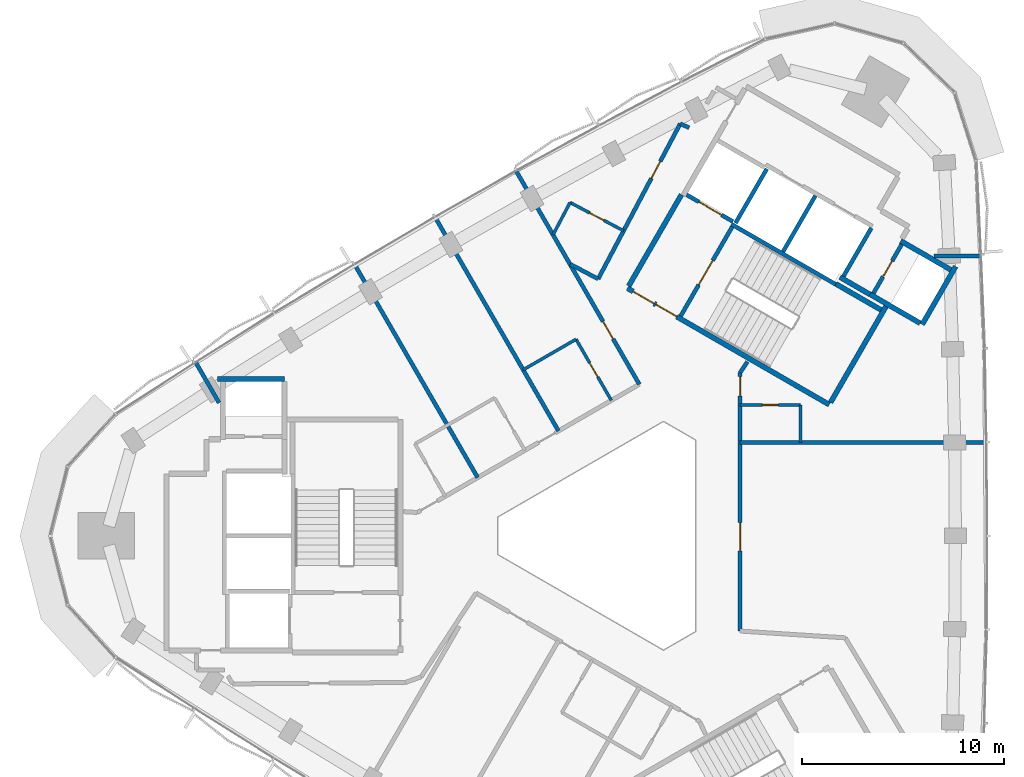
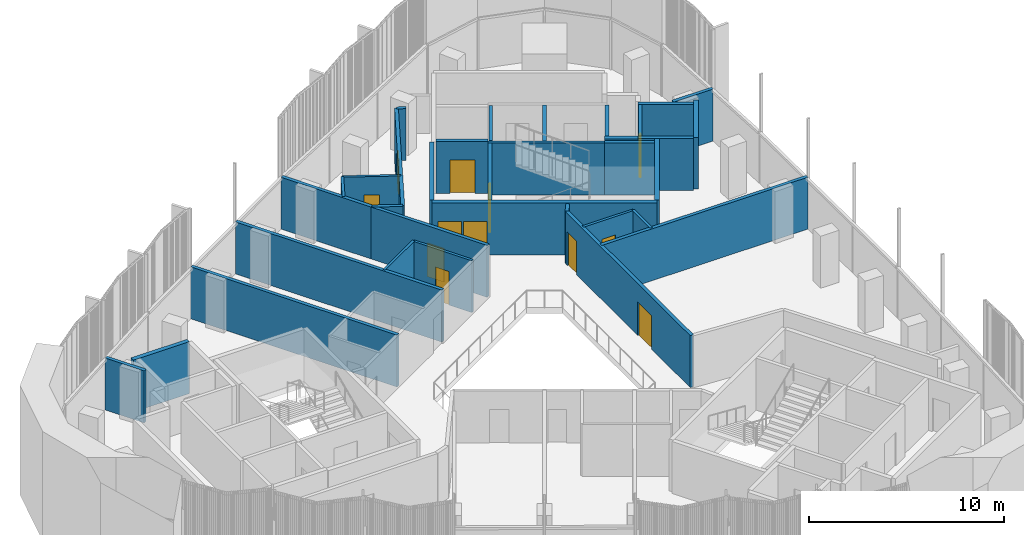
# One storey, part 10 of 14: 34 walls, 12 doors, 12 openings.
"""IFC4 building model written with IfcOpenShell, lengths in metres."""

from ifc_helpers import new_model, si_unit, direction, frame, frame_2d, origin, place, context, subcontext, project, spatial, rectangle, extrude, material, layer, layer_set, type_object, element, fill, save


model = new_model("IFC4")

# Units and contexts
model_context = context("Model", 3, precision=1e-05, world=origin(), true_north=direction((0.0, 1.0)))
body_context = subcontext(model_context, "Body", "Model", "MODEL_VIEW")
ifc_project = project(units=[si_unit("LENGTHUNIT", "METRE"), si_unit("AREAUNIT", "SQUARE_METRE"), si_unit("VOLUMEUNIT", "CUBIC_METRE"), si_unit("PLANEANGLEUNIT", "RADIAN"), si_unit("MASSUNIT", "GRAM", prefix="KILO")], contexts=[model_context])

# Site, building, storey
site_placement = place(None, origin())
site = spatial("IfcSite", under=ifc_project, at=site_placement, CompositionType="ELEMENT")
building_placement = place(site_placement, origin())
building = spatial("IfcBuilding", under=site, at=building_placement, Name="Tamra Quay Hotel Tower", CompositionType="ELEMENT")
storey_placement = place(building_placement, frame((0.0, 0.0, 221.39990234375)))
storey = spatial("IfcBuildingStorey", under=building, at=storey_placement, Name="L55", CompositionType="ELEMENT", Elevation=221.39990234375)

# Wall
ifc_material_1 = material(Name="Concrete M70", Category="concrete")
ifc_layer_1 = layer(ifc_material_1, 0.199951171875)
ifc_layer_set_1 = layer_set([ifc_layer_1], Name="Concrete M70 core wall 200")
wall_type_1 = type_object("IfcWallType", Name="Concrete M70 core wall 200", PredefinedType="SHEAR", material=ifc_layer_set_1)
wall_1_placement = place(storey_placement, frame((10.7431640625, 12.4599609375, 0.0), z_axis=(0.0, 0.0, 1.0), x_axis=(-0.866018848283, 0.500011354289, 0.0)))
element("IfcWall", 1, at=wall_1_placement, inside=storey, type_object=wall_type_1, Name="CW2", PredefinedType="SHEAR", context=body_context, shape_type="SweptSolid", body=[
    extrude(rectangle(XDim=5.973876953125, YDim=0.199951171875, at=frame_2d((2.98681640625, 0.0))), origin(), (0.0, 0.0, 1.0), 3.25),
])

# Wall, opening, door
wall_2_placement = place(storey_placement, frame((3.056640625, 10.89453125, 0.0), z_axis=(0.0, 0.0, 1.0), x_axis=(0.500027839223, 0.866009330205, 0.0)))
wall_2 = element("IfcWall", 2, at=wall_2_placement, inside=storey, type_object=wall_type_1, Name="CW2", PredefinedType="SHEAR", context=body_context, shape_type="SweptSolid", body=[
    extrude(rectangle(XDim=5.097900390625, YDim=0.199951171875, at=frame_2d((2.548828125, 0.0))), origin(), (0.0, 0.0, 1.0), 3.25),
])
opening_1_placement = place(wall_2_placement, frame((1.77392578125, 0.0, 0.0)))
opening_1 = element("IfcOpeningElement", 3, at=opening_1_placement, cuts=wall_2, Name="Opening FD2", PredefinedType="OPENING", context=body_context, shape_type="SweptSolid", body=[
    extrude(rectangle(XDim=1.39990234375, YDim=2.10009765625, at=frame_2d((0.699951171875, 1.050048828125))), frame((0.0, 0.10986328125, 0.0), z_axis=(0.0, -1.0, 0.0), x_axis=(1.0, 0.0, 0.0)), (0.0, 0.0, 1.0), 0.219970703125),
])
ifc_material_2 = material(Name="Core door FD2 1400x2100 LH")
door_type_1 = type_object("IfcDoorType", Name="Core door FD2 1400x2100 LH", OperationType="NOTDEFINED", PredefinedType="DOOR", material=ifc_material_2)
door_1_placement = place(opening_1_placement, origin())
door_1 = element("IfcDoor", 4, at=door_1_placement, inside=storey, type_object=door_type_1, Name="FD2", OperationType="SINGLE_SWING_LEFT", OverallHeight=2.10009765625, OverallWidth=1.39990234375, PredefinedType="DOOR", context=body_context, shape_type="SweptSolid", body=[
    extrude(rectangle(XDim=1.39990234375, YDim=2.10009765625, at=frame_2d((0.699951171875, 1.050048828125))), frame((0.0, 0.02490234375, 0.0), z_axis=(0.0, -1.0, 0.0), x_axis=(1.0, 0.0, 0.0)), (0.0, 0.0, 1.0), 0.050048828125),
])
fill(opening_1, door_1)

# Wall
wall_3_placement = place(storey_placement, frame((8.131591796875, 14.08447265625, 0.0), z_axis=(0.0, 0.0, 1.0), x_axis=(0.500030834389, 0.86600760081, 0.0)))
element("IfcWall", 5, at=wall_3_placement, inside=storey, type_object=wall_type_1, Name="CW2", PredefinedType="SHEAR", context=body_context, shape_type="SweptSolid", body=[
    extrude(rectangle(XDim=3.197998046875, YDim=0.199951171875, at=frame_2d((1.59912109375, 0.0))), origin(), (0.0, 0.0, 1.0), 3.25),
])

# Wall, opening, door
wall_4_placement = place(storey_placement, frame((14.0078125, 14.442138671875, 0.0), z_axis=(0.0, 0.0, 1.0), x_axis=(-0.499986818241, -0.866033014143, 0.0)))
wall_4 = element("IfcWall", 6, at=wall_4_placement, inside=storey, type_object=wall_type_1, Name="CW2", PredefinedType="SHEAR", context=body_context, shape_type="SweptSolid", body=[
    extrude(rectangle(XDim=2.7978515625, YDim=0.199951171875, at=frame_2d((1.39892578125, 0.0))), origin(), (0.0, 0.0, 1.0), 3.25),
])
opening_2_placement = place(wall_4_placement, frame((0.948974609375, 0.0, 0.0)))
opening_2 = element("IfcOpeningElement", 7, at=opening_2_placement, cuts=wall_4, Name="Opening D1", PredefinedType="OPENING", context=body_context, shape_type="SweptSolid", body=[
    extrude(rectangle(XDim=0.89990234375, YDim=2.10009765625, at=frame_2d((0.449951171875, 1.050048828125))), frame((0.0, 0.10986328125, 0.0), z_axis=(0.0, -1.0, 0.0), x_axis=(1.0, 0.0, 0.0)), (0.0, 0.0, 1.0), 0.219970703125),
])
ifc_material_3 = material(Name="Core door D1 900x2100 RH")
door_type_2 = type_object("IfcDoorType", Name="Core door D1 900x2100 RH", OperationType="NOTDEFINED", PredefinedType="DOOR", material=ifc_material_3)
door_2_placement = place(opening_2_placement, origin())
door_2 = element("IfcDoor", 8, at=door_2_placement, inside=storey, type_object=door_type_2, Name="D1", OperationType="SINGLE_SWING_RIGHT", OverallHeight=2.10009765625, OverallWidth=0.89990234375, PredefinedType="DOOR", context=body_context, shape_type="SweptSolid", body=[
    extrude(rectangle(XDim=0.89990234375, YDim=2.10009765625, at=frame_2d((0.449951171875, 1.050048828125))), frame((0.0, 0.02490234375, 0.0), z_axis=(0.0, -1.0, 0.0), x_axis=(1.0, 0.0, 0.0)), (0.0, 0.0, 1.0), 0.050048828125),
])
fill(opening_2, door_2)

# Walls
wall_5_placement = place(storey_placement, frame((12.50244140625, 15.2548828125, 0.0), z_axis=(0.0, 0.0, 1.0), x_axis=(-0.499965018551, -0.866045599391, 0.0)))
element("IfcWall", 9, at=wall_5_placement, inside=storey, type_object=wall_type_1, Name="CW2", PredefinedType="SHEAR", context=body_context, shape_type="SweptSolid", body=[
    extrude(rectangle(XDim=2.759033203125, YDim=0.199951171875, at=frame_2d((1.37939453125, 0.0))), origin(), (0.0, 0.0, 1.0), 3.25),
])
wall_6_placement = place(storey_placement, frame((7.324462890625, 18.1865234375, 0.0), z_axis=(0.0, 0.0, 1.0), x_axis=(-0.499967891604, -0.866043940782, 0.0)))
element("IfcWall", 10, at=wall_6_placement, inside=storey, type_object=wall_type_1, Name="CW2", PredefinedType="SHEAR", context=body_context, shape_type="SweptSolid", body=[
    extrude(rectangle(XDim=3.099853515625, YDim=0.199951171875, at=frame_2d((1.5498046875, 0.0))), origin(), (0.0, 0.0, 1.0), 3.25),
])

# Wall, opening, door
wall_7_placement = place(storey_placement, frame((5.646240234375, 15.575927734375, 0.0), z_axis=(0.0, 0.0, 1.0), x_axis=(-0.866018407898, 0.500012117035, 0.0)))
wall_7 = element("IfcWall", 11, at=wall_7_placement, inside=storey, type_object=wall_type_1, Name="CW2", PredefinedType="SHEAR", context=body_context, shape_type="SweptSolid", body=[
    extrude(rectangle(XDim=2.65087890625, YDim=0.199951171875, at=frame_2d((1.325439453125, 0.0))), origin(), (0.0, 0.0, 1.0), 3.25),
])
opening_3_placement = place(wall_7_placement, frame((0.65185546875, 0.0, 0.0)))
opening_3 = element("IfcOpeningElement", 12, at=opening_3_placement, cuts=wall_7, Name="Opening LD", PredefinedType="OPENING", context=body_context, shape_type="SweptSolid", body=[
    extrude(rectangle(XDim=1.300048828125, YDim=2.10009765625, at=frame_2d((0.64990234375, 1.050048828125))), frame((0.0, 0.10986328125, 0.0), z_axis=(0.0, -1.0, 0.0), x_axis=(1.0, 0.0, 0.0)), (0.0, 0.0, 1.0), 0.219970703125),
])
ifc_material_4 = material(Name="Landing door LD 1300 sliding to left")
door_type_3 = type_object("IfcDoorType", Name="Landing door LD 1300 sliding to left", OperationType="NOTDEFINED", PredefinedType="DOOR", material=ifc_material_4)
door_3_placement = place(opening_3_placement, origin())
door_3 = element("IfcDoor", 13, at=door_3_placement, inside=storey, type_object=door_type_3, Name="LD", OperationType="SLIDING_TO_LEFT", OverallHeight=2.10009765625, OverallWidth=1.300048828125, PredefinedType="DOOR", context=body_context, shape_type="SweptSolid", body=[
    extrude(rectangle(XDim=1.300048828125, YDim=2.10009765625, at=frame_2d((0.64990234375, 1.050048828125))), frame((0.0, 0.02490234375, 0.0), z_axis=(0.0, -1.0, 0.0), x_axis=(1.0, 0.0, 0.0)), (0.0, 0.0, 1.0), 0.050048828125),
])
fill(opening_3, door_3)

# Wall
ifc_layer_2 = layer(ifc_material_1, 0.25)
ifc_layer_set_2 = layer_set([ifc_layer_2], Name="Concrete M70 core wall 250")
wall_type_2 = type_object("IfcWallType", Name="Concrete M70 core wall 250", PredefinedType="SHEAR", material=ifc_layer_set_2)
wall_8_placement = place(storey_placement, frame((-19.900390625, 7.77490234375, 0.0), z_axis=(0.0, 0.0, 1.0), x_axis=(1.0, 0.0, 0.0)))
element("IfcWall", 14, at=wall_8_placement, inside=storey, type_object=wall_type_2, Name="CW1", PredefinedType="SHEAR", context=body_context, shape_type="SweptSolid", body=[
    extrude(rectangle(XDim=3.31298828125, YDim=0.25, at=frame_2d((1.656494140625, 0.0))), origin(), (0.0, 0.0, 1.0), 3.25),
])

# Wall, openings, doors
wall_9_placement = place(storey_placement, frame((10.419921875, 6.497802734375, 0.0), z_axis=(0.0, 0.0, 1.0), x_axis=(-0.866021906294, 0.500006057782, 0.0)))
wall_9 = element("IfcWall", 15, at=wall_9_placement, inside=storey, type_object=wall_type_2, Name="CW1", PredefinedType="SHEAR", context=body_context, shape_type="SweptSolid", body=[
    extrude(rectangle(XDim=11.550048828125, YDim=0.25, at=frame_2d((5.77490234375, 0.0))), origin(), (0.0, 0.0, 1.0), 3.25),
])
opening_4_placement = place(wall_9_placement, frame((10.02490234375, 0.0, 0.0)))
opening_4 = element("IfcOpeningElement", 16, at=opening_4_placement, cuts=wall_9, Name="Opening FD1", PredefinedType="OPENING", context=body_context, shape_type="SweptSolid", body=[
    extrude(rectangle(XDim=1.199951171875, YDim=2.10009765625, at=frame_2d((0.60009765625, 1.050048828125))), frame((0.0, 0.135009765625, 0.0), z_axis=(0.0, -1.0, 0.0), x_axis=(1.0, 0.0, 0.0)), (0.0, 0.0, 1.0), 0.27001953125),
])
opening_5_placement = place(wall_9_placement, frame((8.724853515625, 0.0, 0.0)))
opening_5 = element("IfcOpeningElement", 17, at=opening_5_placement, cuts=wall_9, Name="Opening FD1", PredefinedType="OPENING", context=body_context, shape_type="SweptSolid", body=[
    extrude(rectangle(XDim=1.199951171875, YDim=2.10009765625, at=frame_2d((0.60009765625, 1.050048828125))), frame((0.0, 0.135009765625, 0.0), z_axis=(0.0, -1.0, 0.0), x_axis=(1.0, 0.0, 0.0)), (0.0, 0.0, 1.0), 0.27001953125),
])
ifc_material_5 = material(Name="Core door FD1 1200x2100 LH")
door_type_4 = type_object("IfcDoorType", Name="Core door FD1 1200x2100 LH", OperationType="NOTDEFINED", PredefinedType="DOOR", material=ifc_material_5)
door_4_placement = place(opening_4_placement, origin())
door_4 = element("IfcDoor", 18, at=door_4_placement, inside=storey, type_object=door_type_4, Name="FD1", OperationType="SINGLE_SWING_LEFT", OverallHeight=2.10009765625, OverallWidth=1.199951171875, PredefinedType="DOOR", context=body_context, shape_type="SweptSolid", body=[
    extrude(rectangle(XDim=1.199951171875, YDim=2.10009765625, at=frame_2d((0.60009765625, 1.050048828125))), frame((0.0, 0.02490234375, 0.0), z_axis=(0.0, -1.0, 0.0), x_axis=(1.0, 0.0, 0.0)), (0.0, 0.0, 1.0), 0.050048828125),
])
fill(opening_4, door_4)
ifc_material_6 = material(Name="Core door FD1 1200x2100 RH")
door_type_5 = type_object("IfcDoorType", Name="Core door FD1 1200x2100 RH", OperationType="NOTDEFINED", PredefinedType="DOOR", material=ifc_material_6)
door_5_placement = place(opening_5_placement, origin())
door_5 = element("IfcDoor", 19, at=door_5_placement, inside=storey, type_object=door_type_5, Name="FD1", OperationType="SINGLE_SWING_RIGHT", OverallHeight=2.10009765625, OverallWidth=1.199951171875, PredefinedType="DOOR", context=body_context, shape_type="SweptSolid", body=[
    extrude(rectangle(XDim=1.199951171875, YDim=2.10009765625, at=frame_2d((0.60009765625, 1.050048828125))), frame((0.0, 0.02490234375, 0.0), z_axis=(0.0, -1.0, 0.0), x_axis=(1.0, 0.0, 0.0)), (0.0, 0.0, 1.0), 0.050048828125),
])
fill(opening_5, door_5)

# Walls
wall_10_placement = place(storey_placement, frame((0.47998046875, 12.38134765625, 0.0), z_axis=(0.0, 0.0, 1.0), x_axis=(0.49999885962, 0.866026062182, 0.0)))
element("IfcWall", 20, at=wall_10_placement, inside=storey, type_object=wall_type_2, Name="CW1", PredefinedType="SHEAR", context=body_context, shape_type="SweptSolid", body=[
    extrude(rectangle(XDim=5.224609375, YDim=0.25, at=frame_2d((2.6123046875, 0.0))), origin(), (0.0, 0.0, 1.0), 3.25),
])
wall_11_placement = place(storey_placement, frame((13.237548828125, 11.3779296875, 0.0), z_axis=(0.0, 0.0, 1.0), x_axis=(-0.500008851346, -0.866020293397, 0.0)))
element("IfcWall", 21, at=wall_11_placement, inside=storey, type_object=wall_type_2, Name="CW1", PredefinedType="SHEAR", context=body_context, shape_type="SweptSolid", body=[
    extrude(rectangle(XDim=5.509765625, YDim=0.25, at=frame_2d((2.7548828125, 0.0))), origin(), (0.0, 0.0, 1.0), 3.25),
])
wall_12_placement = place(storey_placement, frame((16.68359375, 13.3466796875, 0.0), z_axis=(0.0, 0.0, 1.0), x_axis=(-0.499998874531, -0.866026053573, 0.0)))
element("IfcWall", 22, at=wall_12_placement, inside=storey, type_object=wall_type_2, Name="CW1", PredefinedType="SHEAR", context=body_context, shape_type="SweptSolid", body=[
    extrude(rectangle(XDim=3.31298828125, YDim=0.25, at=frame_2d((1.656494140625, 0.0))), origin(), (0.0, 0.0, 1.0), 3.25),
])
wall_13_placement = place(storey_placement, frame((14.91845703125, 10.540283203125, 0.0), z_axis=(0.0, 0.0, 1.0), x_axis=(-0.866063538972, 0.499933942099, 0.0)))
element("IfcWall", 23, at=wall_13_placement, inside=storey, type_object=wall_type_2, Name="CW1", PredefinedType="SHEAR", context=body_context, shape_type="SweptSolid", body=[
    extrude(rectangle(XDim=2.86474609375, YDim=0.25, at=frame_2d((1.432373046875, 0.0))), origin(), (0.0, 0.0, 1.0), 3.25),
])
wall_14_placement = place(storey_placement, frame((13.962646484375, 14.61376953125, 0.0), z_axis=(0.0, 0.0, 1.0), x_axis=(0.866042235819, -0.499970844928, 0.0)))
element("IfcWall", 24, at=wall_14_placement, inside=storey, type_object=wall_type_2, Name="CW1", PredefinedType="SHEAR", context=body_context, shape_type="SweptSolid", body=[
    extrude(rectangle(XDim=2.864501953125, YDim=0.25, at=frame_2d((1.43212890625, 0.0))), origin(), (0.0, 0.0, 1.0), 3.25),
])
wall_15_placement = place(storey_placement, frame((10.756591796875, 12.481201171875, 0.0), z_axis=(0.0, 0.0, 1.0), x_axis=(0.866022940537, -0.500004266446, 0.0)))
element("IfcWall", 25, at=wall_15_placement, inside=storey, type_object=wall_type_2, Name="CW1", PredefinedType="SHEAR", context=body_context, shape_type="SweptSolid", body=[
    extrude(rectangle(XDim=2.57470703125, YDim=0.25, at=frame_2d((1.287353515625, 0.0))), origin(), (0.0, 0.0, 1.0), 3.25),
])
wall_16_placement = place(storey_placement, frame((12.4326171875, 11.9638671875, 0.0), z_axis=(0.0, 0.0, 1.0), x_axis=(-0.866038183914, 0.499977863513, 0.0)))
element("IfcWall", 26, at=wall_16_placement, inside=storey, type_object=wall_type_2, Name="CW1", PredefinedType="SHEAR", context=body_context, shape_type="SweptSolid", body=[
    extrude(rectangle(XDim=1.7099609375, YDim=0.25, at=frame_2d((0.85498046875, 0.0))), origin(), (0.0, 0.0, 1.0), 3.25),
])

# Wall, opening, door
ifc_material_7 = material(Name="Partition corridor wall")
ifc_layer_3 = layer(ifc_material_7, 0.199951171875)
ifc_layer_set_3 = layer_set([ifc_layer_3], Name="Partition corridor wall")
wall_type_3 = type_object("IfcWallType", Name="Partition corridor wall", PredefinedType="PARTITIONING", material=ifc_layer_set_3)
wall_17_placement = place(storey_placement, frame((-2.429931640625, 13.458984375, 0.0), z_axis=(0.0, 0.0, 1.0), x_axis=(0.499957265187, -0.866050075334, 0.0)))
wall_17 = element("IfcWall", 27, at=wall_17_placement, inside=storey, type_object=wall_type_3, Name="W-C", PredefinedType="PARTITIONING", context=body_context, shape_type="SweptSolid", body=[
    extrude(rectangle(XDim=6.8701171875, YDim=0.199951171875, at=frame_2d((3.43505859375, 0.0))), origin(), (0.0, 0.0, 1.0), 3.25),
])
opening_6_placement = place(wall_17_placement, frame((3.27490234375, 0.0, 0.0)))
opening_6 = element("IfcOpeningElement", 28, at=opening_6_placement, cuts=wall_17, Name="Opening L55-D003", PredefinedType="OPENING", context=body_context, shape_type="SweptSolid", body=[
    extrude(rectangle(XDim=1.0, YDim=2.10009765625, at=frame_2d((0.5, 1.050048828125))), frame((0.0, 0.10986328125, 0.0), z_axis=(0.0, -1.0, 0.0), x_axis=(1.0, 0.0, 0.0)), (0.0, 0.0, 1.0), 0.219970703125),
])
ifc_material_8 = material(Name="Door guest room 1000x2100")
door_type_6 = type_object("IfcDoorType", Name="Door guest room 1000x2100", OperationType="NOTDEFINED", PredefinedType="DOOR", material=ifc_material_8)
door_6_placement = place(opening_6_placement, frame((1.0, 0.0, 0.0), z_axis=(0.0, 0.0, 1.0), x_axis=(-1.0, 0.0, 0.0)))
door_6 = element("IfcDoor", 29, at=door_6_placement, inside=storey, type_object=door_type_6, Name="L55-D003", OperationType="SINGLE_SWING_LEFT", OverallHeight=2.10009765625, OverallWidth=1.0, PredefinedType="DOOR", context=body_context, shape_type="SweptSolid", body=[
    extrude(rectangle(XDim=1.0, YDim=2.10009765625, at=frame_2d((0.5, 1.050048828125))), frame((0.0, 0.02490234375, 0.0), z_axis=(0.0, -1.0, 0.0), x_axis=(1.0, 0.0, 0.0)), (0.0, 0.0, 1.0), 0.050048828125),
])
fill(opening_6, door_6)

# Wall
wall_18_placement = place(storey_placement, frame((-2.425048828125, 13.465087890625, 0.0), z_axis=(0.0, 0.0, 1.0), x_axis=(0.883874806572, -0.467723557572, 0.0)))
element("IfcWall", 30, at=wall_18_placement, inside=storey, type_object=wall_type_3, Name="W-C", PredefinedType="PARTITIONING", context=body_context, shape_type="SweptSolid", body=[
    extrude(rectangle(XDim=1.57177734375, YDim=0.199951171875, at=frame_2d((0.785888671875, 0.0))), origin(), (0.0, 0.0, 1.0), 3.25),
])

# Wall, opening, door
wall_19_placement = place(storey_placement, frame((-1.035400390625, 12.729736328125, 0.0), z_axis=(0.0, 0.0, 1.0), x_axis=(0.46738248691, 0.884055208078, 0.0)))
wall_19 = element("IfcWall", 31, at=wall_19_placement, inside=storey, type_object=wall_type_3, Name="W-C", PredefinedType="PARTITIONING", context=body_context, shape_type="SweptSolid", body=[
    extrude(rectangle(XDim=8.70458984375, YDim=0.199951171875, at=frame_2d((4.352294921875, 0.0))), origin(), (0.0, 0.0, 1.0), 3.25),
])
opening_7_placement = place(wall_19_placement, frame((5.637939453125, 0.0, 0.0)))
opening_7 = element("IfcOpeningElement", 32, at=opening_7_placement, cuts=wall_19, Name="Opening L55-D001", PredefinedType="OPENING", context=body_context, shape_type="SweptSolid", body=[
    extrude(rectangle(XDim=0.949951171875, YDim=2.10009765625, at=frame_2d((0.47509765625, 1.050048828125))), frame((0.0, 0.10986328125, 0.0), z_axis=(0.0, -1.0, 0.0), x_axis=(1.0, 0.0, 0.0)), (0.0, 0.0, 1.0), 0.219970703125),
])
ifc_material_9 = material(Name="Door guest room 950x2100")
door_type_7 = type_object("IfcDoorType", Name="Door guest room 950x2100", OperationType="NOTDEFINED", PredefinedType="DOOR", material=ifc_material_9)
door_7_placement = place(opening_7_placement, frame((0.949951171875, 0.0, 0.0), z_axis=(0.0, 0.0, 1.0), x_axis=(-1.0, 0.0, 0.0)))
door_7 = element("IfcDoor", 33, at=door_7_placement, inside=storey, type_object=door_type_7, Name="L55-D001", OperationType="SINGLE_SWING_LEFT", OverallHeight=2.10009765625, OverallWidth=0.949951171875, PredefinedType="DOOR", context=body_context, shape_type="SweptSolid", body=[
    extrude(rectangle(XDim=0.949951171875, YDim=2.10009765625, at=frame_2d((0.47509765625, 1.050048828125))), frame((0.0, 0.02490234375, 0.0), z_axis=(0.0, -1.0, 0.0), x_axis=(1.0, 0.0, 0.0)), (0.0, 0.0, 1.0), 0.050048828125),
])
fill(opening_7, door_7)

# Wall
wall_20_placement = place(storey_placement, frame((3.033935546875, 20.426025390625, 0.0), z_axis=(0.0, 0.0, 1.0), x_axis=(0.907930035436, -0.41912176125, 0.0)))
element("IfcWall", 34, at=wall_20_placement, inside=storey, type_object=wall_type_3, Name="W-C", PredefinedType="PARTITIONING", context=body_context, shape_type="SweptSolid", body=[
    extrude(rectangle(XDim=0.487060546875, YDim=0.199951171875, at=frame_2d((0.24365234375, 0.0))), origin(), (0.0, 0.0, 1.0), 3.25),
])

# Wall, openings, doors
wall_21_placement = place(storey_placement, frame((6.0, -4.720947265625, 0.0), z_axis=(0.0, 0.0, 1.0), x_axis=(0.0, 1.0, 0.0)))
wall_21 = element("IfcWall", 35, at=wall_21_placement, inside=storey, type_object=wall_type_3, Name="W-C", PredefinedType="PARTITIONING", context=body_context, shape_type="SweptSolid", body=[
    extrude(rectangle(XDim=12.803955078125, YDim=0.199951171875, at=frame_2d((6.40185546875, 0.0))), origin(), (0.0, 0.0, 1.0), 3.25),
])
opening_8_placement = place(wall_21_placement, frame((3.97900390625, 0.0, 0.0)))
opening_8 = element("IfcOpeningElement", 36, at=opening_8_placement, cuts=wall_21, Name="Opening L55-D016", PredefinedType="OPENING", context=body_context, shape_type="SweptSolid", body=[
    extrude(rectangle(XDim=1.39990234375, YDim=2.10009765625, at=frame_2d((0.699951171875, 1.050048828125))), frame((0.0, 0.10986328125, 0.0), z_axis=(0.0, -1.0, 0.0), x_axis=(1.0, 0.0, 0.0)), (0.0, 0.0, 1.0), 0.219970703125),
])
opening_9_placement = place(wall_21_placement, frame((11.654052734375, 0.0, 0.0)))
opening_9 = element("IfcOpeningElement", 37, at=opening_9_placement, cuts=wall_21, Name="Opening L55-D017", PredefinedType="OPENING", context=body_context, shape_type="SweptSolid", body=[
    extrude(rectangle(XDim=0.949951171875, YDim=2.10009765625, at=frame_2d((0.47509765625, 1.050048828125))), frame((0.0, 0.10986328125, 0.0), z_axis=(0.0, -1.0, 0.0), x_axis=(1.0, 0.0, 0.0)), (0.0, 0.0, 1.0), 0.219970703125),
])
ifc_material_10 = material(Name="Door double leaf 1400x2100")
door_type_8 = type_object("IfcDoorType", Name="Door double leaf 1400x2100", OperationType="DOUBLE_DOOR_SINGLE_SWING", PredefinedType="DOOR", material=ifc_material_10)
door_8_placement = place(opening_8_placement, frame((1.39990234375, 0.0, 0.0), z_axis=(0.0, 0.0, 1.0), x_axis=(-1.0, 0.0, 0.0)))
door_8 = element("IfcDoor", 38, at=door_8_placement, inside=storey, type_object=door_type_8, Name="L55-D016", OperationType="DOUBLE_DOOR_SINGLE_SWING", OverallHeight=2.10009765625, OverallWidth=1.39990234375, PredefinedType="DOOR", context=body_context, shape_type="SweptSolid", body=[
    extrude(rectangle(XDim=1.39990234375, YDim=2.10009765625, at=frame_2d((0.699951171875, 1.050048828125))), frame((0.0, 0.02490234375, 0.0), z_axis=(0.0, -1.0, 0.0), x_axis=(1.0, 0.0, 0.0)), (0.0, 0.0, 1.0), 0.050048828125),
])
fill(opening_8, door_8)
door_9_placement = place(opening_9_placement, frame((0.949951171875, 0.0, 0.0), z_axis=(0.0, 0.0, 1.0), x_axis=(-1.0, 0.0, 0.0)))
door_9 = element("IfcDoor", 39, at=door_9_placement, inside=storey, type_object=door_type_7, Name="L55-D017", OperationType="SINGLE_SWING_LEFT", OverallHeight=2.10009765625, OverallWidth=0.949951171875, PredefinedType="DOOR", context=body_context, shape_type="SweptSolid", body=[
    extrude(rectangle(XDim=0.949951171875, YDim=2.10009765625, at=frame_2d((0.47509765625, 1.050048828125))), frame((0.0, 0.02490234375, 0.0), z_axis=(0.0, -1.0, 0.0), x_axis=(1.0, 0.0, 0.0)), (0.0, 0.0, 1.0), 0.050048828125),
])
fill(opening_9, door_9)

# Walls
wall_22_placement = place(storey_placement, frame((6.0, 8.0830078125, 0.0), z_axis=(0.0, 0.0, 1.0), x_axis=(0.553665201502, 0.832739361773, 0.0)))
element("IfcWall", 40, at=wall_22_placement, inside=storey, type_object=wall_type_3, Name="W-C", PredefinedType="PARTITIONING", context=body_context, shape_type="SweptSolid", body=[
    extrude(rectangle(XDim=0.653564453125, YDim=0.199951171875, at=frame_2d((0.32666015625, 0.0))), origin(), (0.0, 0.0, 1.0), 3.25),
])
ifc_material_11 = material(Name="Partition en-suite wall")
ifc_layer_4 = layer(ifc_material_11, 0.14990234375)
ifc_layer_set_4 = layer_set([ifc_layer_4], Name="Partition en-suite wall")
wall_type_4 = type_object("IfcWallType", Name="Partition en-suite wall", PredefinedType="PARTITIONING", material=ifc_layer_set_4)
wall_23_placement = place(storey_placement, frame((-4.75, 8.22705078125, 0.0), z_axis=(0.0, 0.0, 1.0), x_axis=(0.865893821749, 0.500227837548, 0.0)))
element("IfcWall", 41, at=wall_23_placement, inside=storey, type_object=wall_type_4, Name="W-E", PredefinedType="PARTITIONING", context=body_context, shape_type="SweptSolid", body=[
    extrude(rectangle(XDim=3.0244140625, YDim=0.14990234375, at=frame_2d((1.51220703125, 0.0))), origin(), (0.0, 0.0, 1.0), 3.25),
])
wall_24_placement = place(storey_placement, frame((-3.27197265625, 14.91796875, 0.0), z_axis=(0.0, 0.0, 1.0), x_axis=(0.467162796658, 0.884171319043, 0.0)))
element("IfcWall", 42, at=wall_24_placement, inside=storey, type_object=wall_type_4, Name="W-E", PredefinedType="PARTITIONING", context=body_context, shape_type="SweptSolid", body=[
    extrude(rectangle(XDim=1.810791015625, YDim=0.14990234375, at=frame_2d((0.9052734375, 0.0))), origin(), (0.0, 0.0, 1.0), 3.25),
])

# Wall, opening, door
wall_25_placement = place(storey_placement, frame((-2.426025390625, 16.51904296875, 0.0), z_axis=(0.0, 0.0, 1.0), x_axis=(0.884056991815, -0.467379112952, 0.0)))
wall_25 = element("IfcWall", 43, at=wall_25_placement, inside=storey, type_object=wall_type_4, Name="W-E", PredefinedType="PARTITIONING", context=body_context, shape_type="SweptSolid", body=[
    extrude(rectangle(XDim=3.0, YDim=0.14990234375, at=frame_2d((1.5, 0.0))), origin(), (0.0, 0.0, 1.0), 3.25),
])
opening_10_placement = place(wall_25_placement, frame((1.10009765625, 0.0, 0.0)))
opening_10 = element("IfcOpeningElement", 44, at=opening_10_placement, cuts=wall_25, Name="Opening L55-D002", PredefinedType="OPENING", context=body_context, shape_type="SweptSolid", body=[
    extrude(rectangle(XDim=0.800048828125, YDim=2.10009765625, at=frame_2d((0.39990234375, 1.050048828125))), frame((0.0, 0.0849609375, 0.0), z_axis=(0.0, -1.0, 0.0), x_axis=(1.0, 0.0, 0.0)), (0.0, 0.0, 1.0), 0.169921875),
])
ifc_material_12 = material(Name="Door en-suite 800x2100")
door_type_9 = type_object("IfcDoorType", Name="Door en-suite 800x2100", OperationType="NOTDEFINED", PredefinedType="DOOR", material=ifc_material_12)
door_10_placement = place(opening_10_placement, origin())
door_10 = element("IfcDoor", 45, at=door_10_placement, inside=storey, type_object=door_type_9, Name="L55-D002", OperationType="SINGLE_SWING_LEFT", OverallHeight=2.10009765625, OverallWidth=0.800048828125, PredefinedType="DOOR", context=body_context, shape_type="SweptSolid", body=[
    extrude(rectangle(XDim=0.800048828125, YDim=2.10009765625, at=frame_2d((0.39990234375, 1.050048828125))), frame((0.0, 0.02490234375, 0.0), z_axis=(0.0, -1.0, 0.0), x_axis=(1.0, 0.0, 0.0)), (0.0, 0.0, 1.0), 0.050048828125),
])
fill(opening_10, door_10)

wall_26_placement = place(storey_placement, frame((-2.131103515625, 9.739990234375, 0.0), z_axis=(0.0, 0.0, 1.0), x_axis=(0.500010275428, -0.866019471182, 0.0)))
wall_26 = element("IfcWall", 46, at=wall_26_placement, inside=storey, type_object=wall_type_4, Name="W-E", PredefinedType="PARTITIONING", context=body_context, shape_type="SweptSolid", body=[
    extrude(rectangle(XDim=3.5, YDim=0.14990234375, at=frame_2d((1.75, 0.0))), origin(), (0.0, 0.0, 1.0), 3.25),
])
opening_11_placement = place(wall_26_placement, frame((1.350341796875, 0.0, 0.0)))
opening_11 = element("IfcOpeningElement", 47, at=opening_11_placement, cuts=wall_26, Name="Opening L55-D004", PredefinedType="OPENING", context=body_context, shape_type="SweptSolid", body=[
    extrude(rectangle(XDim=0.800048828125, YDim=2.10009765625, at=frame_2d((0.39990234375, 1.050048828125))), frame((0.0, 0.0849609375, 0.0), z_axis=(0.0, -1.0, 0.0), x_axis=(1.0, 0.0, 0.0)), (0.0, 0.0, 1.0), 0.169921875),
])
door_11_placement = place(opening_11_placement, frame((0.800048828125, 0.0, 0.0), z_axis=(0.0, 0.0, 1.0), x_axis=(-1.0, 0.0, 0.0)))
door_11 = element("IfcDoor", 48, at=door_11_placement, inside=storey, type_object=door_type_9, Name="L55-D004", OperationType="SINGLE_SWING_LEFT", OverallHeight=2.10009765625, OverallWidth=0.800048828125, PredefinedType="DOOR", context=body_context, shape_type="SweptSolid", body=[
    extrude(rectangle(XDim=0.800048828125, YDim=2.10009765625, at=frame_2d((0.39990234375, 1.050048828125))), frame((0.0, 0.02490234375, 0.0), z_axis=(0.0, -1.0, 0.0), x_axis=(1.0, 0.0, 0.0)), (0.0, 0.0, 1.0), 0.050048828125),
])
fill(opening_11, door_11)

wall_27_placement = place(storey_placement, frame((6.0, 6.48291015625, 0.0), z_axis=(0.0, 0.0, 1.0), x_axis=(1.0, 0.0, 0.0)))
wall_27 = element("IfcWall", 49, at=wall_27_placement, inside=storey, type_object=wall_type_4, Name="W-E", PredefinedType="PARTITIONING", context=body_context, shape_type="SweptSolid", body=[
    extrude(rectangle(XDim=3.0, YDim=0.14990234375, at=frame_2d((1.5, 0.0))), origin(), (0.0, 0.0, 1.0), 3.25),
])
opening_12_placement = place(wall_27_placement, frame((1.10009765625, 0.0, 0.0)))
opening_12 = element("IfcOpeningElement", 50, at=opening_12_placement, cuts=wall_27, Name="Opening L55-D018", PredefinedType="OPENING", context=body_context, shape_type="SweptSolid", body=[
    extrude(rectangle(XDim=0.800048828125, YDim=2.10009765625, at=frame_2d((0.39990234375, 1.050048828125))), frame((0.0, 0.0849609375, 0.0), z_axis=(0.0, -1.0, 0.0), x_axis=(1.0, 0.0, 0.0)), (0.0, 0.0, 1.0), 0.169921875),
])
door_12_placement = place(opening_12_placement, origin())
door_12 = element("IfcDoor", 51, at=door_12_placement, inside=storey, type_object=door_type_9, Name="L55-D018", OperationType="SINGLE_SWING_LEFT", OverallHeight=2.10009765625, OverallWidth=0.800048828125, PredefinedType="DOOR", context=body_context, shape_type="SweptSolid", body=[
    extrude(rectangle(XDim=0.800048828125, YDim=2.10009765625, at=frame_2d((0.39990234375, 1.050048828125))), frame((0.0, 0.02490234375, 0.0), z_axis=(0.0, -1.0, 0.0), x_axis=(1.0, 0.0, 0.0)), (0.0, 0.0, 1.0), 0.050048828125),
])
fill(opening_12, door_12)

# Walls
wall_28_placement = place(storey_placement, frame((9.0, 4.625, 0.0), z_axis=(0.0, 0.0, 1.0), x_axis=(0.0, 1.0, 0.0)))
element("IfcWall", 52, at=wall_28_placement, inside=storey, type_object=wall_type_4, Name="W-E", PredefinedType="PARTITIONING", context=body_context, shape_type="SweptSolid", body=[
    extrude(rectangle(XDim=1.85791015625, YDim=0.14990234375, at=frame_2d((0.928955078125, 0.0))), origin(), (0.0, 0.0, 1.0), 3.25),
])
ifc_material_13 = material(Name="Partition party wall")
ifc_layer_5 = layer(ifc_material_13, 0.199951171875)
ifc_layer_set_5 = layer_set([ifc_layer_5], Name="Partition party wall")
wall_type_5 = type_object("IfcWallType", Name="Partition party wall", PredefinedType="PARTITIONING", material=ifc_layer_set_5)
wall_29_placement = place(storey_placement, frame((-20.9794921875, 8.594970703125, 0.0), z_axis=(0.0, 0.0, 1.0), x_axis=(0.499950711303, -0.866053858757, 0.0)))
element("IfcWall", 53, at=wall_29_placement, inside=storey, type_object=wall_type_5, Name="W-P", PredefinedType="PARTITIONING", context=body_context, shape_type="SweptSolid", body=[
    extrude(rectangle(XDim=2.314697265625, YDim=0.199951171875, at=frame_2d((1.1572265625, 0.0))), origin(), (0.0, 0.0, 1.0), 3.25),
])
wall_30_placement = place(storey_placement, frame((-13.107421875, 13.452880859375, 0.0), z_axis=(0.0, 0.0, 1.0), x_axis=(0.500037611077, -0.86600368793, 0.0)))
element("IfcWall", 54, at=wall_30_placement, inside=storey, type_object=wall_type_5, Name="W-P", PredefinedType="PARTITIONING", context=body_context, shape_type="SweptSolid", body=[
    extrude(rectangle(XDim=12.2041015625, YDim=0.199951171875, at=frame_2d((6.10205078125, 0.0))), origin(), (0.0, 0.0, 1.0), 3.25),
])
wall_31_placement = place(storey_placement, frame((-9.119384765625, 15.794677734375, 0.0), z_axis=(0.0, 0.0, 1.0), x_axis=(0.50001601051, -0.866016159915, 0.0)))
element("IfcWall", 55, at=wall_31_placement, inside=storey, type_object=wall_type_5, Name="W-P", PredefinedType="PARTITIONING", context=body_context, shape_type="SweptSolid", body=[
    extrude(rectangle(XDim=12.23828125, YDim=0.199951171875, at=frame_2d((6.119140625, 0.0))), origin(), (0.0, 0.0, 1.0), 3.25),
])
wall_32_placement = place(storey_placement, frame((-5.0966796875, 18.078125, 0.0), z_axis=(0.0, 0.0, 1.0), x_axis=(0.50004820116, -0.865997573043, 0.0)))
element("IfcWall", 56, at=wall_32_placement, inside=storey, type_object=wall_type_5, Name="W-P", PredefinedType="PARTITIONING", context=body_context, shape_type="SweptSolid", body=[
    extrude(rectangle(XDim=5.31982421875, YDim=0.199951171875, at=frame_2d((2.659912109375, 0.0))), origin(), (0.0, 0.0, 1.0), 3.25),
])
wall_33_placement = place(storey_placement, frame((6.0009765625, 4.625, 0.0), z_axis=(0.0, 0.0, 1.0), x_axis=(1.0, 0.0, 0.0)))
element("IfcWall", 57, at=wall_33_placement, inside=storey, type_object=wall_type_5, Name="W-P", PredefinedType="PARTITIONING", context=body_context, shape_type="SweptSolid", body=[
    extrude(rectangle(XDim=12.203369140625, YDim=0.199951171875, at=frame_2d((6.1015625, 0.0))), origin(), (0.0, 0.0, 1.0), 3.25),
])
wall_34_placement = place(storey_placement, frame((15.61767578125, 13.8720703125, 0.0), z_axis=(0.0, 0.0, 1.0), x_axis=(1.0, 0.0, 0.0)))
element("IfcWall", 58, at=wall_34_placement, inside=storey, type_object=wall_type_5, Name="W-P", PredefinedType="PARTITIONING", context=body_context, shape_type="SweptSolid", body=[
    extrude(rectangle(XDim=2.315673828125, YDim=0.199951171875, at=frame_2d((1.15771484375, 0.0))), origin(), (0.0, 0.0, 1.0), 3.25),
])

save(model, "model.ifc")
